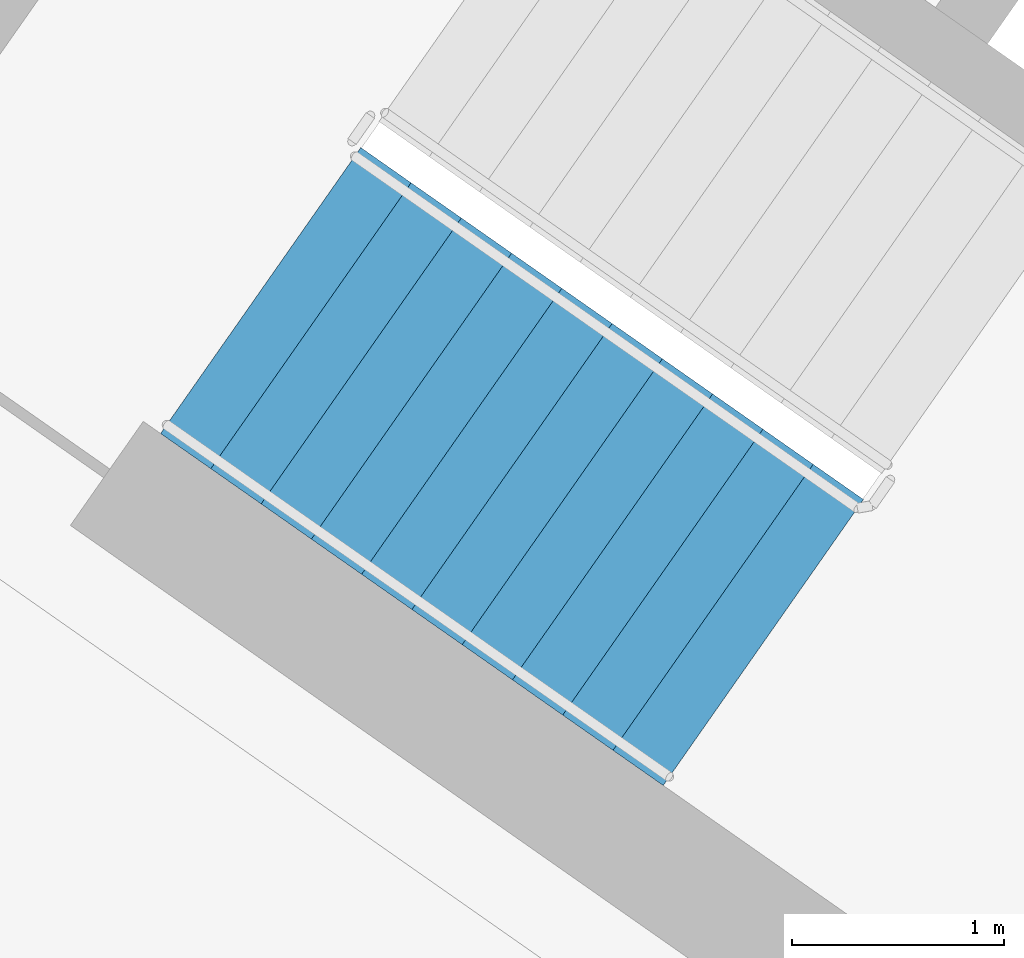
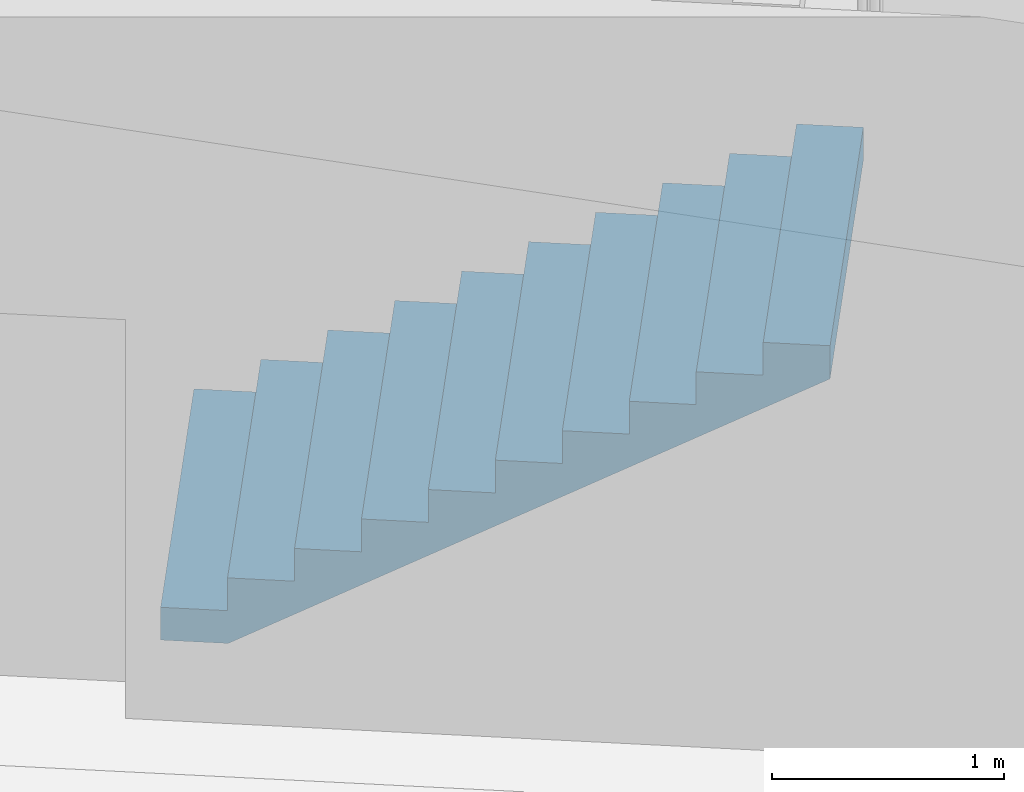
# One storey, part 9 of 26: 1 stair flight, 1 element without a shape of its own.
"""IFC4 building model written with IfcOpenShell, lengths in metres."""

from ifc_helpers import new_model, si_unit, direction, frame, origin, place, context, subcontext, project, spatial, faceted_brep, material, type_object, element, aggregate, save


model = new_model("IFC4")

# Units and contexts
model_context = context("Model", 3, precision=1e-05, world=origin(), true_north=direction((0.0, 1.0)))
body_context = subcontext(model_context, "Body", "Model", "MODEL_VIEW")
ifc_project = project(units=[si_unit("LENGTHUNIT", "METRE"), si_unit("AREAUNIT", "SQUARE_METRE"), si_unit("VOLUMEUNIT", "CUBIC_METRE"), si_unit("PLANEANGLEUNIT", "RADIAN"), si_unit("MASSUNIT", "GRAM", prefix="KILO")], contexts=[model_context])

# Site, building, storey
site_placement = place(None, origin())
site = spatial("IfcSite", under=ifc_project, at=site_placement, CompositionType="ELEMENT")
building_placement = place(site_placement, origin())
building = spatial("IfcBuilding", under=site, at=building_placement, Name="Qamariyya Broadcast Tower", CompositionType="ELEMENT")
storey_placement = place(building_placement, frame((0.0, 0.0, 160.699951171875)))
storey = spatial("IfcBuildingStorey", under=building, at=storey_placement, Name="L37", CompositionType="ELEMENT", Elevation=160.699951171875)

# Stair, stair flight
ifc_material = material(Name="Concrete C50/60", Category="concrete")
stair_type = type_object("IfcStairType", Name="Exit stair 22 risers of 173 mm", PredefinedType="HALF_TURN_STAIR", material=ifc_material)
stair_placement = place(storey_placement, origin())
stair = element("IfcStair", 1, at=stair_placement, inside=storey, type_object=stair_type, Name="L37 Stair W1", PredefinedType="HALF_TURN_STAIR")
stair_flight_type = type_object("IfcStairFlightType", Name="Exit stair flight 11 risers of 173 mm", PredefinedType="STRAIGHT", material=ifc_material)
stair_flight_placement = place(storey_placement, frame((-47.06884765625, -56.982666015625, 0.0), z_axis=(0.0, 0.0, 1.0), x_axis=(0.819152044289, -0.573576436351, 0.0)))
stair_flight = element("IfcStairFlight", 2, at=stair_flight_placement, type_object=stair_flight_type, Name="ST-W1 flight 1", NumberOfRisers=11, NumberOfTreads=10, PredefinedType="STRAIGHT", RiserHeight=0.172727273, TreadLength=0.29, context=body_context, shape_type="Brep", body=[
    faceted_brep([(0.0, 0.824951171875, 0.0), (0.0, 0.824951171875, 0.172607421875), (0.2900390625, 0.824951171875, 0.172607421875), (0.2900390625, 0.824951171875, 0.345458984375), (0.580078125, 0.824951171875, 0.345458984375), (0.580078125, 0.824951171875, 0.51806640625), (0.8701171875, 0.824951171875, 0.51806640625), (0.8701171875, 0.824951171875, 0.69091796875), (1.159912109375, 0.824951171875, 0.69091796875), (1.159912109375, 0.824951171875, 0.863525390625), (1.449951171875, 0.824951171875, 0.863525390625), (1.449951171875, 0.824951171875, 1.036376953125), (1.739990234375, 0.824951171875, 1.036376953125), (1.739990234375, 0.824951171875, 1.208984375), (2.030029296875, 0.824951171875, 1.208984375), (2.030029296875, 0.824951171875, 1.3818359375), (2.320068359375, 0.824951171875, 1.3818359375), (2.320068359375, 0.824951171875, 1.554443359375), (2.610107421875, 0.824951171875, 1.554443359375), (2.610107421875, 0.824951171875, 1.727294921875), (2.89990234375, 0.824951171875, 1.727294921875), (2.89990234375, 0.824951171875, 1.552734375), (0.29296875, 0.824951171875, 0.0), (0.29296875, -0.824951171875, 0.0), (2.89990234375, -0.824951171875, 1.552734375), (2.89990234375, -0.824951171875, 1.727294921875), (2.610107421875, -0.824951171875, 1.727294921875), (2.610107421875, -0.824951171875, 1.554443359375), (2.320068359375, -0.824951171875, 1.554443359375), (2.320068359375, -0.824951171875, 1.3818359375), (2.030029296875, -0.824951171875, 1.3818359375), (2.030029296875, -0.824951171875, 1.208984375), (1.739990234375, -0.824951171875, 1.208984375), (1.739990234375, -0.824951171875, 1.036376953125), (1.449951171875, -0.824951171875, 1.036376953125), (1.449951171875, -0.824951171875, 0.863525390625), (1.159912109375, -0.824951171875, 0.863525390625), (1.159912109375, -0.824951171875, 0.69091796875), (0.8701171875, -0.824951171875, 0.69091796875), (0.8701171875, -0.824951171875, 0.51806640625), (0.580078125, -0.824951171875, 0.51806640625), (0.580078125, -0.824951171875, 0.345458984375), (0.2900390625, -0.824951171875, 0.345458984375), (0.2900390625, -0.824951171875, 0.172607421875), (0.0, -0.824951171875, 0.172607421875), (0.0, -0.824951171875, 0.0), (0.0, 0.10009765625, 0.0), (0.0, 0.086669921875, 0.0), (0.0, 0.0732421875, 0.0), (0.0, 0.06005859375, 0.0), (0.0, 0.046630859375, 0.0), (0.0, 0.033447265625, 0.0), (0.0, 0.02001953125, 0.0), (0.0, 0.006591796875, 0.0), (0.0, -0.006591796875, 0.0), (0.0, -0.02001953125, 0.0), (0.0, -0.033447265625, 0.0), (0.0, -0.046630859375, 0.0), (0.0, -0.06005859375, 0.0), (0.0, -0.0732421875, 0.0), (0.0, -0.086669921875, 0.0), (0.0, -0.10009765625, 0.0), (0.0, -0.10009765625, 0.172607421875), (0.0, -0.086669921875, 0.172607421875), (0.0, -0.0732421875, 0.172607421875), (0.0, -0.06005859375, 0.172607421875), (0.0, -0.046630859375, 0.172607421875), (0.0, -0.033447265625, 0.172607421875), (0.0, -0.02001953125, 0.172607421875), (0.0, -0.006591796875, 0.172607421875), (0.0, 0.006591796875, 0.172607421875), (0.0, 0.02001953125, 0.172607421875), (0.0, 0.033447265625, 0.172607421875), (0.0, 0.046630859375, 0.172607421875), (0.0, 0.06005859375, 0.172607421875), (0.0, 0.0732421875, 0.172607421875), (0.0, 0.086669921875, 0.172607421875), (0.0, 0.10009765625, 0.172607421875), (0.2900390625, -0.10009765625, 0.172607421875), (0.2900390625, -0.086669921875, 0.172607421875), (0.2900390625, -0.0732421875, 0.172607421875), (0.2900390625, -0.06005859375, 0.172607421875), (0.2900390625, -0.046630859375, 0.172607421875), (0.2900390625, -0.033447265625, 0.172607421875), (0.2900390625, -0.02001953125, 0.172607421875), (0.2900390625, -0.006591796875, 0.172607421875), (0.2900390625, 0.006591796875, 0.172607421875), (0.2900390625, 0.02001953125, 0.172607421875), (0.2900390625, 0.033447265625, 0.172607421875), (0.2900390625, 0.046630859375, 0.172607421875), (0.2900390625, 0.06005859375, 0.172607421875), (0.2900390625, 0.0732421875, 0.172607421875), (0.2900390625, 0.086669921875, 0.172607421875), (0.2900390625, 0.10009765625, 0.172607421875), (0.2900390625, -0.10009765625, 0.345458984375), (0.2900390625, -0.086669921875, 0.345458984375), (0.2900390625, -0.0732421875, 0.345458984375), (0.2900390625, -0.06005859375, 0.345458984375), (0.2900390625, -0.046630859375, 0.345458984375), (0.2900390625, -0.033447265625, 0.345458984375), (0.2900390625, -0.02001953125, 0.345458984375), (0.2900390625, -0.006591796875, 0.345458984375), (0.2900390625, 0.006591796875, 0.345458984375), (0.2900390625, 0.02001953125, 0.345458984375), (0.2900390625, 0.033447265625, 0.345458984375), (0.2900390625, 0.046630859375, 0.345458984375), (0.2900390625, 0.06005859375, 0.345458984375), (0.2900390625, 0.0732421875, 0.345458984375), (0.2900390625, 0.086669921875, 0.345458984375), (0.2900390625, 0.10009765625, 0.345458984375), (0.580078125, -0.10009765625, 0.345458984375), (0.580078125, -0.086669921875, 0.345458984375), (0.580078125, -0.0732421875, 0.345458984375), (0.580078125, -0.06005859375, 0.345458984375), (0.580078125, -0.046630859375, 0.345458984375), (0.580078125, -0.033447265625, 0.345458984375), (0.580078125, -0.02001953125, 0.345458984375), (0.580078125, -0.006591796875, 0.345458984375), (0.580078125, 0.006591796875, 0.345458984375), (0.580078125, 0.02001953125, 0.345458984375), (0.580078125, 0.033447265625, 0.345458984375), (0.580078125, 0.046630859375, 0.345458984375), (0.580078125, 0.06005859375, 0.345458984375), (0.580078125, 0.0732421875, 0.345458984375), (0.580078125, 0.086669921875, 0.345458984375), (0.580078125, 0.10009765625, 0.345458984375), (0.580078125, -0.10009765625, 0.51806640625), (0.580078125, -0.086669921875, 0.51806640625), (0.580078125, -0.0732421875, 0.51806640625), (0.580078125, -0.06005859375, 0.51806640625), (0.580078125, -0.046630859375, 0.51806640625), (0.580078125, -0.033447265625, 0.51806640625), (0.580078125, -0.02001953125, 0.51806640625), (0.580078125, -0.006591796875, 0.51806640625), (0.580078125, 0.006591796875, 0.51806640625), (0.580078125, 0.02001953125, 0.51806640625), (0.580078125, 0.033447265625, 0.51806640625), (0.580078125, 0.046630859375, 0.51806640625), (0.580078125, 0.06005859375, 0.51806640625), (0.580078125, 0.0732421875, 0.51806640625), (0.580078125, 0.086669921875, 0.51806640625), (0.580078125, 0.10009765625, 0.51806640625), (0.8701171875, -0.10009765625, 0.51806640625), (0.8701171875, -0.086669921875, 0.51806640625), (0.8701171875, -0.0732421875, 0.51806640625), (0.8701171875, -0.06005859375, 0.51806640625), (0.8701171875, -0.046630859375, 0.51806640625), (0.8701171875, -0.033447265625, 0.51806640625), (0.8701171875, -0.02001953125, 0.51806640625), (0.8701171875, -0.006591796875, 0.51806640625), (0.8701171875, 0.006591796875, 0.51806640625), (0.8701171875, 0.02001953125, 0.51806640625), (0.8701171875, 0.033447265625, 0.51806640625), (0.8701171875, 0.046630859375, 0.51806640625), (0.8701171875, 0.06005859375, 0.51806640625), (0.8701171875, 0.0732421875, 0.51806640625), (0.8701171875, 0.086669921875, 0.51806640625), (0.8701171875, 0.10009765625, 0.51806640625), (0.8701171875, -0.10009765625, 0.69091796875), (0.8701171875, -0.086669921875, 0.69091796875), (0.8701171875, -0.0732421875, 0.69091796875), (0.8701171875, -0.06005859375, 0.69091796875), (0.8701171875, -0.046630859375, 0.69091796875), (0.8701171875, -0.033447265625, 0.69091796875), (0.8701171875, -0.02001953125, 0.69091796875), (0.8701171875, -0.006591796875, 0.69091796875), (0.8701171875, 0.006591796875, 0.69091796875), (0.8701171875, 0.02001953125, 0.69091796875), (0.8701171875, 0.033447265625, 0.69091796875), (0.8701171875, 0.046630859375, 0.69091796875), (0.8701171875, 0.06005859375, 0.69091796875), (0.8701171875, 0.0732421875, 0.69091796875), (0.8701171875, 0.086669921875, 0.69091796875), (0.8701171875, 0.10009765625, 0.69091796875), (1.159912109375, -0.10009765625, 0.69091796875), (1.159912109375, -0.086669921875, 0.69091796875), (1.159912109375, -0.0732421875, 0.69091796875), (1.159912109375, -0.06005859375, 0.69091796875), (1.159912109375, -0.046630859375, 0.69091796875), (1.159912109375, -0.033447265625, 0.69091796875), (1.159912109375, -0.02001953125, 0.69091796875), (1.159912109375, -0.006591796875, 0.69091796875), (1.159912109375, 0.006591796875, 0.69091796875), (1.159912109375, 0.02001953125, 0.69091796875), (1.159912109375, 0.033447265625, 0.69091796875), (1.159912109375, 0.046630859375, 0.69091796875), (1.159912109375, 0.06005859375, 0.69091796875), (1.159912109375, 0.0732421875, 0.69091796875), (1.159912109375, 0.086669921875, 0.69091796875), (1.159912109375, 0.10009765625, 0.69091796875), (1.159912109375, -0.10009765625, 0.863525390625), (1.159912109375, -0.086669921875, 0.863525390625), (1.159912109375, -0.0732421875, 0.863525390625), (1.159912109375, -0.06005859375, 0.863525390625), (1.159912109375, -0.046630859375, 0.863525390625), (1.159912109375, -0.033447265625, 0.863525390625), (1.159912109375, -0.02001953125, 0.863525390625), (1.159912109375, -0.006591796875, 0.863525390625), (1.159912109375, 0.006591796875, 0.863525390625), (1.159912109375, 0.02001953125, 0.863525390625), (1.159912109375, 0.033447265625, 0.863525390625), (1.159912109375, 0.046630859375, 0.863525390625), (1.159912109375, 0.06005859375, 0.863525390625), (1.159912109375, 0.0732421875, 0.863525390625), (1.159912109375, 0.086669921875, 0.863525390625), (1.159912109375, 0.10009765625, 0.863525390625), (1.449951171875, -0.10009765625, 0.863525390625), (1.449951171875, -0.086669921875, 0.863525390625), (1.449951171875, -0.0732421875, 0.863525390625), (1.449951171875, -0.06005859375, 0.863525390625), (1.449951171875, -0.046630859375, 0.863525390625), (1.449951171875, -0.033447265625, 0.863525390625), (1.449951171875, -0.02001953125, 0.863525390625), (1.449951171875, -0.006591796875, 0.863525390625), (1.449951171875, 0.006591796875, 0.863525390625), (1.449951171875, 0.02001953125, 0.863525390625), (1.449951171875, 0.033447265625, 0.863525390625), (1.449951171875, 0.046630859375, 0.863525390625), (1.449951171875, 0.06005859375, 0.863525390625), (1.449951171875, 0.0732421875, 0.863525390625), (1.449951171875, 0.086669921875, 0.863525390625), (1.449951171875, 0.10009765625, 0.863525390625), (1.449951171875, -0.10009765625, 1.036376953125), (1.449951171875, -0.086669921875, 1.036376953125), (1.449951171875, -0.0732421875, 1.036376953125), (1.449951171875, -0.06005859375, 1.036376953125), (1.449951171875, -0.046630859375, 1.036376953125), (1.449951171875, -0.033447265625, 1.036376953125), (1.449951171875, -0.02001953125, 1.036376953125), (1.449951171875, -0.006591796875, 1.036376953125), (1.449951171875, 0.006591796875, 1.036376953125), (1.449951171875, 0.02001953125, 1.036376953125), (1.449951171875, 0.033447265625, 1.036376953125), (1.449951171875, 0.046630859375, 1.036376953125), (1.449951171875, 0.06005859375, 1.036376953125), (1.449951171875, 0.0732421875, 1.036376953125), (1.449951171875, 0.086669921875, 1.036376953125), (1.449951171875, 0.10009765625, 1.036376953125), (1.739990234375, -0.10009765625, 1.036376953125), (1.739990234375, -0.086669921875, 1.036376953125), (1.739990234375, -0.0732421875, 1.036376953125), (1.739990234375, -0.06005859375, 1.036376953125), (1.739990234375, -0.046630859375, 1.036376953125), (1.739990234375, -0.033447265625, 1.036376953125), (1.739990234375, -0.02001953125, 1.036376953125), (1.739990234375, -0.006591796875, 1.036376953125), (1.739990234375, 0.006591796875, 1.036376953125), (1.739990234375, 0.02001953125, 1.036376953125), (1.739990234375, 0.033447265625, 1.036376953125), (1.739990234375, 0.046630859375, 1.036376953125), (1.739990234375, 0.06005859375, 1.036376953125), (1.739990234375, 0.0732421875, 1.036376953125), (1.739990234375, 0.086669921875, 1.036376953125), (1.739990234375, 0.10009765625, 1.036376953125), (1.739990234375, -0.10009765625, 1.208984375), (1.739990234375, -0.086669921875, 1.208984375), (1.739990234375, -0.0732421875, 1.208984375), (1.739990234375, -0.06005859375, 1.208984375), (1.739990234375, -0.046630859375, 1.208984375), (1.739990234375, -0.033447265625, 1.208984375), (1.739990234375, -0.02001953125, 1.208984375), (1.739990234375, -0.006591796875, 1.208984375), (1.739990234375, 0.006591796875, 1.208984375), (1.739990234375, 0.02001953125, 1.208984375), (1.739990234375, 0.033447265625, 1.208984375), (1.739990234375, 0.046630859375, 1.208984375), (1.739990234375, 0.06005859375, 1.208984375), (1.739990234375, 0.0732421875, 1.208984375), (1.739990234375, 0.086669921875, 1.208984375), (1.739990234375, 0.10009765625, 1.208984375), (2.030029296875, -0.10009765625, 1.208984375), (2.030029296875, -0.086669921875, 1.208984375), (2.030029296875, -0.0732421875, 1.208984375), (2.030029296875, -0.06005859375, 1.208984375), (2.030029296875, -0.046630859375, 1.208984375), (2.030029296875, -0.033447265625, 1.208984375), (2.030029296875, -0.02001953125, 1.208984375), (2.030029296875, -0.006591796875, 1.208984375), (2.030029296875, 0.006591796875, 1.208984375), (2.030029296875, 0.02001953125, 1.208984375), (2.030029296875, 0.033447265625, 1.208984375), (2.030029296875, 0.046630859375, 1.208984375), (2.030029296875, 0.06005859375, 1.208984375), (2.030029296875, 0.0732421875, 1.208984375), (2.030029296875, 0.086669921875, 1.208984375), (2.030029296875, 0.10009765625, 1.208984375), (2.030029296875, -0.10009765625, 1.3818359375), (2.030029296875, -0.086669921875, 1.3818359375), (2.030029296875, -0.0732421875, 1.3818359375), (2.030029296875, -0.06005859375, 1.3818359375), (2.030029296875, -0.046630859375, 1.3818359375), (2.030029296875, -0.033447265625, 1.3818359375), (2.030029296875, -0.02001953125, 1.3818359375), (2.030029296875, -0.006591796875, 1.3818359375), (2.030029296875, 0.006591796875, 1.3818359375), (2.030029296875, 0.02001953125, 1.3818359375), (2.030029296875, 0.033447265625, 1.3818359375), (2.030029296875, 0.046630859375, 1.3818359375), (2.030029296875, 0.06005859375, 1.3818359375), (2.030029296875, 0.0732421875, 1.3818359375), (2.030029296875, 0.086669921875, 1.3818359375), (2.030029296875, 0.10009765625, 1.3818359375), (2.320068359375, -0.10009765625, 1.3818359375), (2.320068359375, -0.086669921875, 1.3818359375), (2.320068359375, -0.0732421875, 1.3818359375), (2.320068359375, -0.06005859375, 1.3818359375), (2.320068359375, -0.046630859375, 1.3818359375), (2.320068359375, -0.033447265625, 1.3818359375), (2.320068359375, -0.02001953125, 1.3818359375), (2.320068359375, -0.006591796875, 1.3818359375), (2.320068359375, 0.006591796875, 1.3818359375), (2.320068359375, 0.02001953125, 1.3818359375), (2.320068359375, 0.033447265625, 1.3818359375), (2.320068359375, 0.046630859375, 1.3818359375), (2.320068359375, 0.06005859375, 1.3818359375), (2.320068359375, 0.0732421875, 1.3818359375), (2.320068359375, 0.086669921875, 1.3818359375), (2.320068359375, 0.10009765625, 1.3818359375), (2.320068359375, -0.10009765625, 1.554443359375), (2.320068359375, -0.086669921875, 1.554443359375), (2.320068359375, -0.0732421875, 1.554443359375), (2.320068359375, -0.06005859375, 1.554443359375), (2.320068359375, -0.046630859375, 1.554443359375), (2.320068359375, -0.033447265625, 1.554443359375), (2.320068359375, -0.02001953125, 1.554443359375), (2.320068359375, -0.006591796875, 1.554443359375), (2.320068359375, 0.006591796875, 1.554443359375), (2.320068359375, 0.02001953125, 1.554443359375), (2.320068359375, 0.033447265625, 1.554443359375), (2.320068359375, 0.046630859375, 1.554443359375), (2.320068359375, 0.06005859375, 1.554443359375), (2.320068359375, 0.0732421875, 1.554443359375), (2.320068359375, 0.086669921875, 1.554443359375), (2.320068359375, 0.10009765625, 1.554443359375), (2.610107421875, -0.10009765625, 1.554443359375), (2.610107421875, -0.086669921875, 1.554443359375), (2.610107421875, -0.0732421875, 1.554443359375), (2.610107421875, -0.06005859375, 1.554443359375), (2.610107421875, -0.046630859375, 1.554443359375), (2.610107421875, -0.033447265625, 1.554443359375), (2.610107421875, -0.02001953125, 1.554443359375), (2.610107421875, -0.006591796875, 1.554443359375), (2.610107421875, 0.006591796875, 1.554443359375), (2.610107421875, 0.02001953125, 1.554443359375), (2.610107421875, 0.033447265625, 1.554443359375), (2.610107421875, 0.046630859375, 1.554443359375), (2.610107421875, 0.06005859375, 1.554443359375), (2.610107421875, 0.0732421875, 1.554443359375), (2.610107421875, 0.086669921875, 1.554443359375), (2.610107421875, 0.10009765625, 1.554443359375), (2.610107421875, -0.10009765625, 1.727294921875), (2.610107421875, -0.086669921875, 1.727294921875), (2.610107421875, -0.0732421875, 1.727294921875), (2.610107421875, -0.06005859375, 1.727294921875), (2.610107421875, -0.046630859375, 1.727294921875), (2.610107421875, -0.033447265625, 1.727294921875), (2.610107421875, -0.02001953125, 1.727294921875), (2.610107421875, -0.006591796875, 1.727294921875), (2.610107421875, 0.006591796875, 1.727294921875), (2.610107421875, 0.02001953125, 1.727294921875), (2.610107421875, 0.033447265625, 1.727294921875), (2.610107421875, 0.046630859375, 1.727294921875), (2.610107421875, 0.06005859375, 1.727294921875), (2.610107421875, 0.0732421875, 1.727294921875), (2.610107421875, 0.086669921875, 1.727294921875), (2.610107421875, 0.10009765625, 1.727294921875), (2.89990234375, -0.10009765625, 1.727294921875), (2.89990234375, -0.086669921875, 1.727294921875), (2.89990234375, -0.0732421875, 1.727294921875), (2.89990234375, -0.06005859375, 1.727294921875), (2.89990234375, -0.046630859375, 1.727294921875), (2.89990234375, -0.033447265625, 1.727294921875), (2.89990234375, -0.02001953125, 1.727294921875), (2.89990234375, -0.006591796875, 1.727294921875), (2.89990234375, 0.006591796875, 1.727294921875), (2.89990234375, 0.02001953125, 1.727294921875), (2.89990234375, 0.033447265625, 1.727294921875), (2.89990234375, 0.046630859375, 1.727294921875), (2.89990234375, 0.06005859375, 1.727294921875), (2.89990234375, 0.0732421875, 1.727294921875), (2.89990234375, 0.086669921875, 1.727294921875), (2.89990234375, 0.10009765625, 1.727294921875), (2.89990234375, -0.10009765625, 1.552734375), (2.89990234375, -0.086669921875, 1.552734375), (2.89990234375, -0.0732421875, 1.552734375), (2.89990234375, -0.06005859375, 1.552734375), (2.89990234375, -0.046630859375, 1.552734375), (2.89990234375, -0.033447265625, 1.552734375), (2.89990234375, -0.02001953125, 1.552734375), (2.89990234375, -0.006591796875, 1.552734375), (2.89990234375, 0.006591796875, 1.552734375), (2.89990234375, 0.02001953125, 1.552734375), (2.89990234375, 0.033447265625, 1.552734375), (2.89990234375, 0.046630859375, 1.552734375), (2.89990234375, 0.06005859375, 1.552734375), (2.89990234375, 0.0732421875, 1.552734375), (2.89990234375, 0.086669921875, 1.552734375), (2.89990234375, 0.10009765625, 1.552734375), (0.29296875, -0.10009765625, 0.0), (0.29296875, -0.086669921875, 0.0), (0.29296875, -0.0732421875, 0.0), (0.29296875, -0.06005859375, 0.0), (0.29296875, -0.046630859375, 0.0), (0.29296875, -0.033447265625, 0.0), (0.29296875, -0.02001953125, 0.0), (0.29296875, -0.006591796875, 0.0), (0.29296875, 0.006591796875, 0.0), (0.29296875, 0.02001953125, 0.0), (0.29296875, 0.033447265625, 0.0), (0.29296875, 0.046630859375, 0.0), (0.29296875, 0.06005859375, 0.0), (0.29296875, 0.0732421875, 0.0), (0.29296875, 0.086669921875, 0.0), (0.29296875, 0.10009765625, 0.0)], [[[0, 1, 2, 3, 4, 5, 6, 7, 8, 9, 10, 11, 12, 13, 14, 15, 16, 17, 18, 19, 20, 21, 22]], [[23, 24, 25, 26, 27, 28, 29, 30, 31, 32, 33, 34, 35, 36, 37, 38, 39, 40, 41, 42, 43, 44, 45]], [[0, 46, 47, 48, 49, 50, 51, 52, 53, 54, 55, 56, 57, 58, 59, 60, 61, 45, 44, 62, 63, 64, 65, 66, 67, 68, 69, 70, 71, 72, 73, 74, 75, 76, 77, 1]], [[1, 77, 76, 75, 74, 73, 72, 71, 70, 69, 68, 67, 66, 65, 64, 63, 62, 44, 43, 78, 79, 80, 81, 82, 83, 84, 85, 86, 87, 88, 89, 90, 91, 92, 93, 2]], [[2, 93, 92, 91, 90, 89, 88, 87, 86, 85, 84, 83, 82, 81, 80, 79, 78, 43, 42, 94, 95, 96, 97, 98, 99, 100, 101, 102, 103, 104, 105, 106, 107, 108, 109, 3]], [[3, 109, 108, 107, 106, 105, 104, 103, 102, 101, 100, 99, 98, 97, 96, 95, 94, 42, 41, 110, 111, 112, 113, 114, 115, 116, 117, 118, 119, 120, 121, 122, 123, 124, 125, 4]], [[4, 125, 124, 123, 122, 121, 120, 119, 118, 117, 116, 115, 114, 113, 112, 111, 110, 41, 40, 126, 127, 128, 129, 130, 131, 132, 133, 134, 135, 136, 137, 138, 139, 140, 141, 5]], [[5, 141, 140, 139, 138, 137, 136, 135, 134, 133, 132, 131, 130, 129, 128, 127, 126, 40, 39, 142, 143, 144, 145, 146, 147, 148, 149, 150, 151, 152, 153, 154, 155, 156, 157, 6]], [[6, 157, 156, 155, 154, 153, 152, 151, 150, 149, 148, 147, 146, 145, 144, 143, 142, 39, 38, 158, 159, 160, 161, 162, 163, 164, 165, 166, 167, 168, 169, 170, 171, 172, 173, 7]], [[7, 173, 172, 171, 170, 169, 168, 167, 166, 165, 164, 163, 162, 161, 160, 159, 158, 38, 37, 174, 175, 176, 177, 178, 179, 180, 181, 182, 183, 184, 185, 186, 187, 188, 189, 8]], [[8, 189, 188, 187, 186, 185, 184, 183, 182, 181, 180, 179, 178, 177, 176, 175, 174, 37, 36, 190, 191, 192, 193, 194, 195, 196, 197, 198, 199, 200, 201, 202, 203, 204, 205, 9]], [[9, 205, 204, 203, 202, 201, 200, 199, 198, 197, 196, 195, 194, 193, 192, 191, 190, 36, 35, 206, 207, 208, 209, 210, 211, 212, 213, 214, 215, 216, 217, 218, 219, 220, 221, 10]], [[10, 221, 220, 219, 218, 217, 216, 215, 214, 213, 212, 211, 210, 209, 208, 207, 206, 35, 34, 222, 223, 224, 225, 226, 227, 228, 229, 230, 231, 232, 233, 234, 235, 236, 237, 11]], [[11, 237, 236, 235, 234, 233, 232, 231, 230, 229, 228, 227, 226, 225, 224, 223, 222, 34, 33, 238, 239, 240, 241, 242, 243, 244, 245, 246, 247, 248, 249, 250, 251, 252, 253, 12]], [[12, 253, 252, 251, 250, 249, 248, 247, 246, 245, 244, 243, 242, 241, 240, 239, 238, 33, 32, 254, 255, 256, 257, 258, 259, 260, 261, 262, 263, 264, 265, 266, 267, 268, 269, 13]], [[13, 269, 268, 267, 266, 265, 264, 263, 262, 261, 260, 259, 258, 257, 256, 255, 254, 32, 31, 270, 271, 272, 273, 274, 275, 276, 277, 278, 279, 280, 281, 282, 283, 284, 285, 14]], [[14, 285, 284, 283, 282, 281, 280, 279, 278, 277, 276, 275, 274, 273, 272, 271, 270, 31, 30, 286, 287, 288, 289, 290, 291, 292, 293, 294, 295, 296, 297, 298, 299, 300, 301, 15]], [[15, 301, 300, 299, 298, 297, 296, 295, 294, 293, 292, 291, 290, 289, 288, 287, 286, 30, 29, 302, 303, 304, 305, 306, 307, 308, 309, 310, 311, 312, 313, 314, 315, 316, 317, 16]], [[16, 317, 316, 315, 314, 313, 312, 311, 310, 309, 308, 307, 306, 305, 304, 303, 302, 29, 28, 318, 319, 320, 321, 322, 323, 324, 325, 326, 327, 328, 329, 330, 331, 332, 333, 17]], [[17, 333, 332, 331, 330, 329, 328, 327, 326, 325, 324, 323, 322, 321, 320, 319, 318, 28, 27, 334, 335, 336, 337, 338, 339, 340, 341, 342, 343, 344, 345, 346, 347, 348, 349, 18]], [[18, 349, 348, 347, 346, 345, 344, 343, 342, 341, 340, 339, 338, 337, 336, 335, 334, 27, 26, 350, 351, 352, 353, 354, 355, 356, 357, 358, 359, 360, 361, 362, 363, 364, 365, 19]], [[19, 365, 364, 363, 362, 361, 360, 359, 358, 357, 356, 355, 354, 353, 352, 351, 350, 26, 25, 366, 367, 368, 369, 370, 371, 372, 373, 374, 375, 376, 377, 378, 379, 380, 381, 20]], [[20, 381, 380, 379, 378, 377, 376, 375, 374, 373, 372, 371, 370, 369, 368, 367, 366, 25, 24, 382, 383, 384, 385, 386, 387, 388, 389, 390, 391, 392, 393, 394, 395, 396, 397, 21]], [[21, 397, 396, 395, 394, 393, 392, 391, 390, 389, 388, 387, 386, 385, 384, 383, 382, 24, 23, 398, 399, 400, 401, 402, 403, 404, 405, 406, 407, 408, 409, 410, 411, 412, 413, 22]], [[22, 413, 412, 411, 410, 409, 408, 407, 406, 405, 404, 403, 402, 401, 400, 399, 398, 23, 45, 61, 60, 59, 58, 57, 56, 55, 54, 53, 52, 51, 50, 49, 48, 47, 46, 0]]]),
])
aggregate(stair, [stair_flight])

save(model, "model.ifc")
